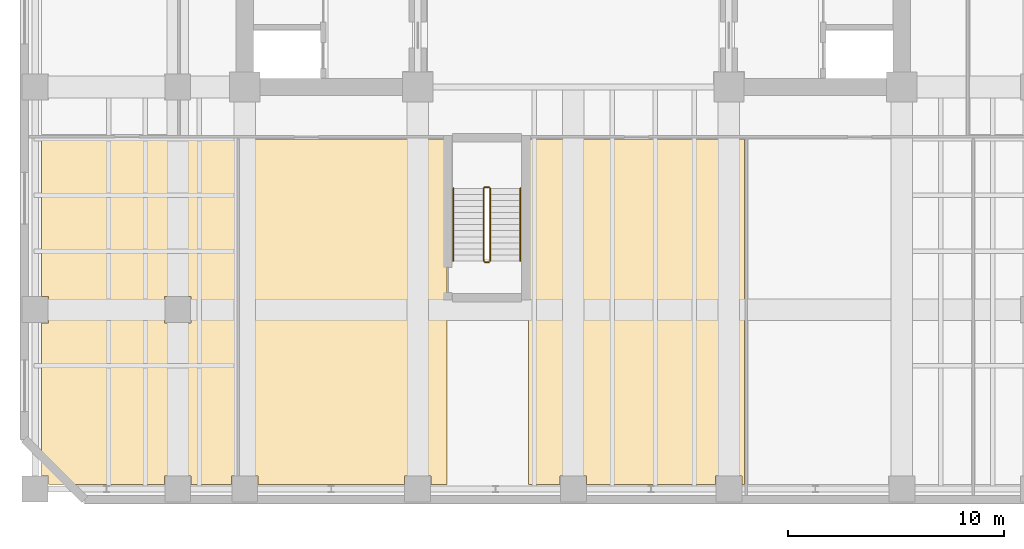
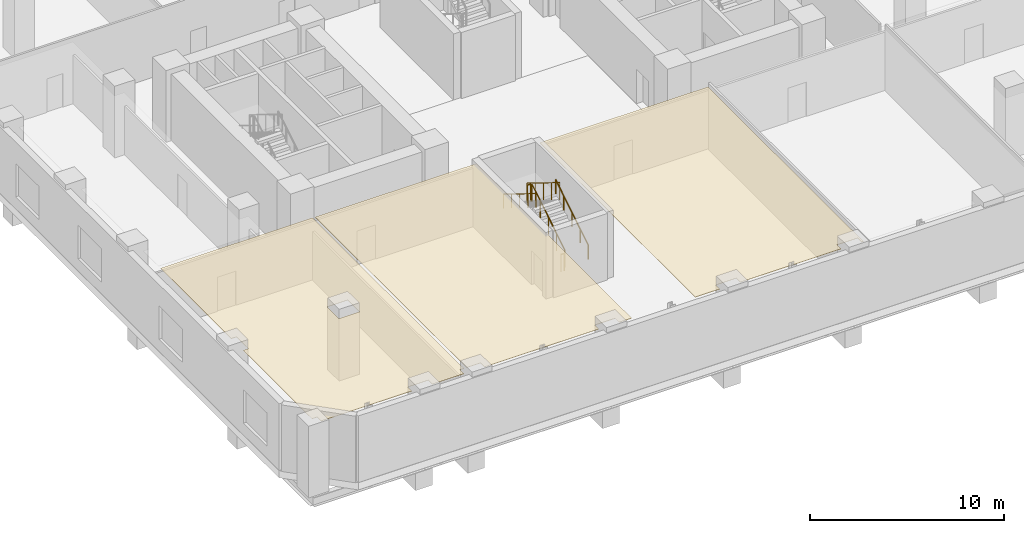
# One storey, part 10 of 15: 6 railings, 3 coverings.
"""IFC4 building model written with IfcOpenShell, lengths in metres."""

from ifc_helpers import new_model, si_unit, direction, frame, origin, origin_2d, place, context, subcontext, project, spatial, polyline, circle, outline, extrude, material, layer, layer_set, type_object, element, save


model = new_model("IFC4")

# Units and contexts
model_context = context("Model", 3, precision=1e-05, world=origin(), true_north=direction((0.0, 1.0)))
body_context = subcontext(model_context, "Body", "Model", "MODEL_VIEW")
ifc_project = project(units=[si_unit("LENGTHUNIT", "METRE"), si_unit("AREAUNIT", "SQUARE_METRE"), si_unit("VOLUMEUNIT", "CUBIC_METRE"), si_unit("PLANEANGLEUNIT", "RADIAN"), si_unit("MASSUNIT", "GRAM", prefix="KILO")], contexts=[model_context])

# Site, building, storey
site_placement = place(None, origin())
site = spatial("IfcSite", under=ifc_project, at=site_placement, CompositionType="ELEMENT")
building_placement = place(site_placement, origin())
building = spatial("IfcBuilding", under=site, at=building_placement, Name="Kranthara Brick Stack", CompositionType="ELEMENT")
storey_placement = place(building_placement, frame((0.0, 0.0, 5.39990234375)))
storey = spatial("IfcBuildingStorey", under=building, at=storey_placement, Name="L01", CompositionType="ELEMENT", Elevation=5.39990234375)

# Coverings
ifc_material_1 = material(Name="Perforated mineral-fibre acoustic ceiling tile", Category="other")
ifc_layer = layer(ifc_material_1, 0.02490234375)
ifc_layer_set = layer_set([ifc_layer], Name="Perforated mineral-fibre acoustic ceiling tile")
covering_type = type_object("IfcCoveringType", Name="COV-CEIL-ACOUSTIC", PredefinedType="CEILING", material=ifc_layer_set)
covering_1_placement = place(storey_placement, frame((0.0, 0.0, 3.91015625)))
element("IfcCovering", 1, at=covering_1_placement, inside=storey, type_object=covering_type, Name="L01 Exhibition Gallery Hall Acoustic Ceiling", PredefinedType="CEILING", context=body_context, shape_type="SweptSolid", body=[
    extrude(outline(polyline([(12.18994140625, 2.39990234375), (10.31005859375, 2.39990234375), (10.31005859375, 2.81005859375), (9.090087890625, 2.81005859375), (9.090087890625, 2.39990234375), (3.7099609375, 2.39990234375), (3.7099609375, 2.81005859375), (3.39990234375, 2.81005859375), (3.39990234375, 9.889892578125), (3.7099609375, 9.889892578125), (3.7099609375, 11.110107421875), (3.39990234375, 11.110107421875), (3.39990234375, 18.39990234375), (12.419921875, 18.39990234375), (12.419921875, 2.81005859375), (12.18994140625, 2.81005859375), (12.18994140625, 2.39990234375)]), holes=[polyline([(10.31005859375, 11.110107421875), (9.090087890625, 11.110107421875), (9.090087890625, 9.889892578125), (10.31005859375, 9.889892578125), (10.31005859375, 11.110107421875)])]), origin(), (0.0, 0.0, 1.0), 0.02490234375),
])
covering_2_placement = place(storey_placement, frame((0.0, 0.0, 3.91015625)))
element("IfcCovering", 2, at=covering_2_placement, inside=storey, type_object=covering_type, Name="L01 Auditorium Conference Suite Acoustic Ceiling", PredefinedType="CEILING", context=body_context, shape_type="SweptSolid", body=[
    extrude(outline(polyline([(22.14990234375, 18.39990234375), (22.14990234375, 2.39990234375), (21.409912109375, 2.39990234375), (21.409912109375, 2.81005859375), (20.18994140625, 2.81005859375), (20.18994140625, 2.39990234375), (13.409912109375, 2.39990234375), (13.409912109375, 2.81005859375), (12.580078125, 2.81005859375), (12.580078125, 18.39990234375), (22.14990234375, 18.39990234375)])), origin(), (0.0, 0.0, 1.0), 0.02490234375),
])
covering_3_placement = place(storey_placement, frame((0.0, 0.0, 3.91015625)))
element("IfcCovering", 3, at=covering_3_placement, inside=storey, type_object=covering_type, Name="L01 Business Lounge Acoustic Ceiling", PredefinedType="CEILING", context=body_context, shape_type="SweptSolid", body=[
    extrude(outline(polyline([(25.929931640625, 18.39990234375), (35.919921875, 18.39990234375), (35.919921875, 2.39990234375), (35.81005859375, 2.39990234375), (35.81005859375, 2.81005859375), (34.590087890625, 2.81005859375), (34.590087890625, 2.39990234375), (28.610107421875, 2.39990234375), (28.610107421875, 2.81005859375), (27.389892578125, 2.81005859375), (27.389892578125, 2.39990234375), (25.929931640625, 2.39990234375), (25.929931640625, 18.39990234375)])), origin(), (0.0, 0.0, 1.0), 0.02490234375),
])

# Railings
ifc_material_2 = material(Name="Painted galvanized steel stair guardrail", Category="steel")
railing_type_1 = type_object("IfcRailingType", Name="RL-STAIR-GUARD-1100", PredefinedType="GUARDRAIL", material=ifc_material_2)
railing_1_placement = place(storey_placement, frame((24.14990234375, 12.75, 0.173095703125)))
element("IfcRailing", 4, at=railing_1_placement, inside=storey, type_object=railing_type_1, Name="L01 ST03 stair guard 1", PredefinedType="GUARDRAIL", context=body_context, shape_type="SweptSolid", body=[
    extrude(circle(Radius=0.02392578125, at=origin_2d()), frame((0.0, 0.0, 1.076171875), z_axis=(0.0, 0.850623216509, 0.525775754039), x_axis=(-1.0, 0.0, 0.0)), (0.0, 0.0, 1.0), 3.9501953125),
    extrude(circle(Radius=0.02099609375, at=origin_2d()), origin(), (0.0, 0.0, 1.0), 1.052001953125),
    extrude(circle(Radius=0.02099609375, at=origin_2d()), frame((0.0, 0.840087890625, 0.519287109375)), (0.0, 0.0, 1.0), 1.052001953125),
    extrude(circle(Radius=0.02099609375, at=origin_2d()), frame((0.0, 1.68017578125, 1.03857421875)), (0.0, 0.0, 1.0), 1.052001953125),
    extrude(circle(Radius=0.02099609375, at=origin_2d()), frame((0.0, 2.52001953125, 1.5576171875)), (0.0, 0.0, 1.0), 1.052001953125),
    extrude(circle(Radius=0.02099609375, at=origin_2d()), frame((0.0, 3.360107421875, 2.076904296875)), (0.0, 0.0, 1.0), 1.052001953125),
])
railing_2_placement = place(storey_placement, frame((24.10009765625, 16.159912109375, 2.25)))
element("IfcRailing", 5, at=railing_2_placement, inside=storey, type_object=railing_type_1, Name="L01 ST03 stair guard 2", PredefinedType="GUARDRAIL", context=body_context, shape_type="SweptSolid", body=[
    extrude(circle(Radius=0.02392578125, at=origin_2d()), frame((0.0, 0.0, 1.076171875), z_axis=(-1.0, 0.0, 0.0), x_axis=(0.0, -1.0, 0.0)), (0.0, 0.0, 1.0), 0.2001953125),
    extrude(circle(Radius=0.02099609375, at=origin_2d()), origin(), (0.0, 0.0, 1.0), 1.052001953125),
    extrude(circle(Radius=0.02099609375, at=origin_2d()), frame((-0.2001953125, 0.0, 0.0)), (0.0, 0.0, 1.0), 1.052001953125),
])
railing_3_placement = place(storey_placement, frame((23.85009765625, 16.110107421875, 2.423095703125)))
element("IfcRailing", 6, at=railing_3_placement, inside=storey, type_object=railing_type_1, Name="L01 ST03 stair guard 3", PredefinedType="GUARDRAIL", context=body_context, shape_type="SweptSolid", body=[
    extrude(circle(Radius=0.02392578125, at=origin_2d()), frame((0.0, 0.0, 1.076171875), z_axis=(0.0, -0.850623216509, 0.525775754039), x_axis=(1.0, 0.0, 0.0)), (0.0, 0.0, 1.0), 3.9501953125),
    extrude(circle(Radius=0.02099609375, at=origin_2d()), origin(), (0.0, 0.0, 1.0), 1.052001953125),
    extrude(circle(Radius=0.02099609375, at=origin_2d()), frame((0.0, -0.840087890625, 0.519287109375)), (0.0, 0.0, 1.0), 1.052001953125),
    extrude(circle(Radius=0.02099609375, at=origin_2d()), frame((0.0, -1.68017578125, 1.03857421875)), (0.0, 0.0, 1.0), 1.052001953125),
    extrude(circle(Radius=0.02099609375, at=origin_2d()), frame((0.0, -2.52001953125, 1.5576171875)), (0.0, 0.0, 1.0), 1.052001953125),
    extrude(circle(Radius=0.02099609375, at=origin_2d()), frame((0.0, -3.360107421875, 2.076904296875)), (0.0, 0.0, 1.0), 1.052001953125),
])
railing_4_placement = place(storey_placement, frame((24.10009765625, 12.699951171875, 0.0)))
element("IfcRailing", 7, at=railing_4_placement, inside=storey, type_object=railing_type_1, Name="L01 ST03 stair guard 4", PredefinedType="GUARDRAIL", context=body_context, shape_type="SweptSolid", body=[
    extrude(circle(Radius=0.02392578125, at=origin_2d()), frame((0.0, 0.0, 1.076171875), z_axis=(-1.0, 0.0, 0.0), x_axis=(0.0, -1.0, 0.0)), (0.0, 0.0, 1.0), 0.2001953125),
    extrude(circle(Radius=0.02099609375, at=origin_2d()), origin(), (0.0, 0.0, 1.0), 1.052001953125),
    extrude(circle(Radius=0.02099609375, at=origin_2d()), frame((-0.2001953125, 0.0, 0.0)), (0.0, 0.0, 1.0), 1.052001953125),
])
ifc_material_3 = material(Name="Brushed stainless steel tubular handrail", Category="steel")
railing_type_2 = type_object("IfcRailingType", Name="RL-STAIR-HAND-900", PredefinedType="HANDRAIL", material=ifc_material_3)
railing_5_placement = place(storey_placement, frame((25.550048828125, 12.75, 0.173095703125)))
element("IfcRailing", 8, at=railing_5_placement, inside=storey, type_object=railing_type_2, Name="L01 ST03 stair handrail 1", PredefinedType="HANDRAIL", context=body_context, shape_type="SweptSolid", body=[
    extrude(circle(Radius=0.02392578125, at=origin_2d()), frame((0.0, 0.0, 0.8759765625), z_axis=(0.0, 0.850623216509, 0.525775754039), x_axis=(-1.0, 0.0, 0.0)), (0.0, 0.0, 1.0), 3.9501953125),
    extrude(circle(Radius=0.02099609375, at=origin_2d()), origin(), (0.0, 0.0, 1.0), 0.851806640625),
    extrude(circle(Radius=0.02099609375, at=origin_2d()), frame((0.0, 0.840087890625, 0.519287109375)), (0.0, 0.0, 1.0), 0.851806640625),
    extrude(circle(Radius=0.02099609375, at=origin_2d()), frame((0.0, 1.68017578125, 1.03857421875)), (0.0, 0.0, 1.0), 0.851806640625),
    extrude(circle(Radius=0.02099609375, at=origin_2d()), frame((0.0, 2.52001953125, 1.5576171875)), (0.0, 0.0, 1.0), 0.851806640625),
    extrude(circle(Radius=0.02099609375, at=origin_2d()), frame((0.0, 3.360107421875, 2.076904296875)), (0.0, 0.0, 1.0), 0.851806640625),
])
railing_6_placement = place(storey_placement, frame((22.449951171875, 16.110107421875, 2.423095703125)))
element("IfcRailing", 9, at=railing_6_placement, inside=storey, type_object=railing_type_2, Name="L01 ST03 stair handrail 2", PredefinedType="HANDRAIL", context=body_context, shape_type="SweptSolid", body=[
    extrude(circle(Radius=0.02392578125, at=origin_2d()), frame((0.0, 0.0, 0.8759765625), z_axis=(0.0, -0.850623216509, 0.525775754039), x_axis=(1.0, 0.0, 0.0)), (0.0, 0.0, 1.0), 3.9501953125),
    extrude(circle(Radius=0.02099609375, at=origin_2d()), origin(), (0.0, 0.0, 1.0), 0.851806640625),
    extrude(circle(Radius=0.02099609375, at=origin_2d()), frame((0.0, -0.840087890625, 0.519287109375)), (0.0, 0.0, 1.0), 0.851806640625),
    extrude(circle(Radius=0.02099609375, at=origin_2d()), frame((0.0, -1.68017578125, 1.03857421875)), (0.0, 0.0, 1.0), 0.851806640625),
    extrude(circle(Radius=0.02099609375, at=origin_2d()), frame((0.0, -2.52001953125, 1.5576171875)), (0.0, 0.0, 1.0), 0.851806640625),
    extrude(circle(Radius=0.02099609375, at=origin_2d()), frame((0.0, -3.360107421875, 2.076904296875)), (0.0, 0.0, 1.0), 0.851806640625),
])

save(model, "model.ifc")
